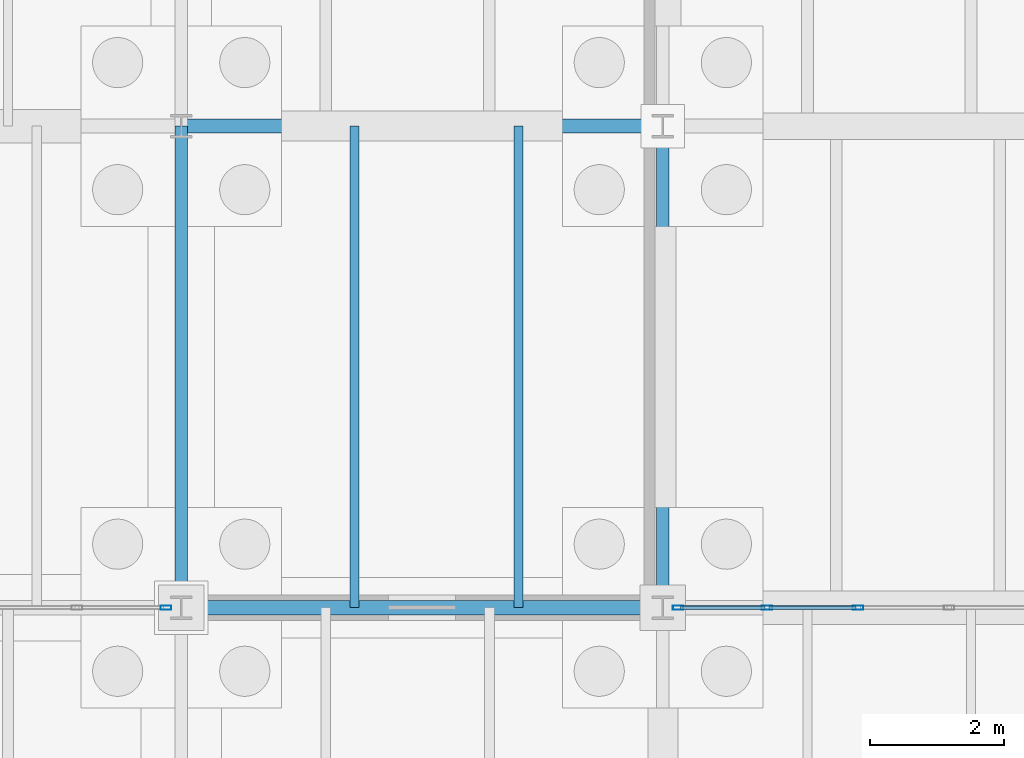
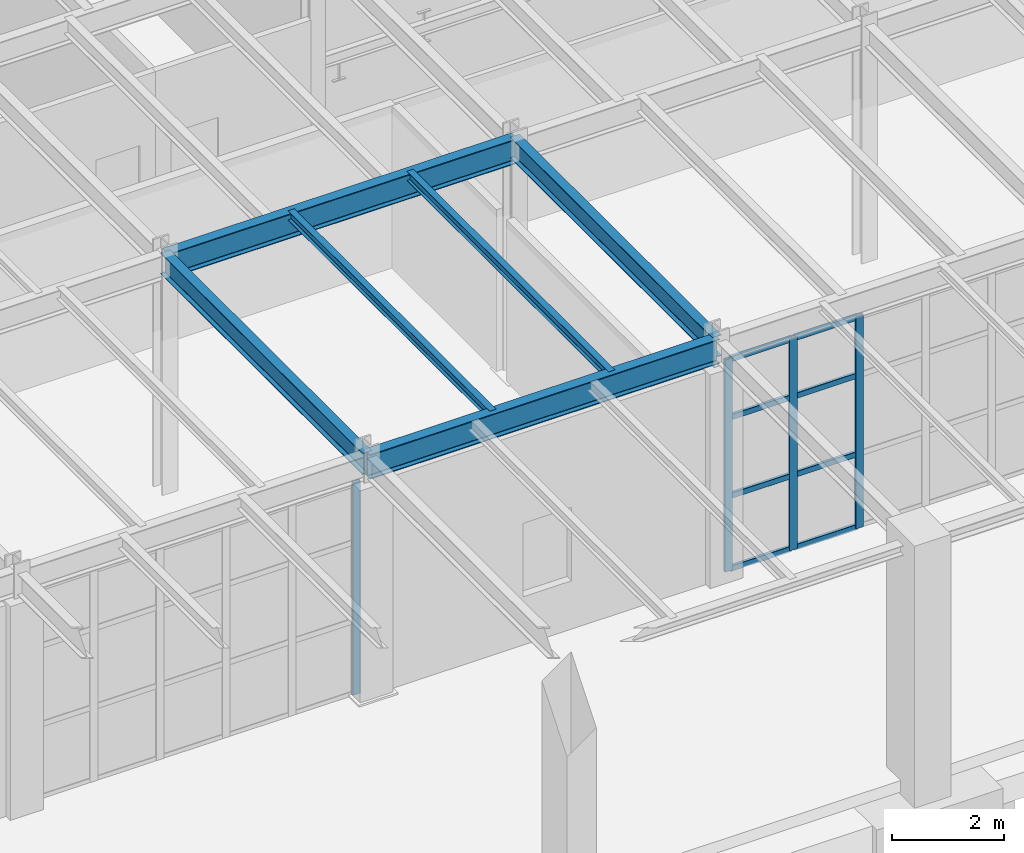
# One storey, part 75 of 293: 12 members, 6 beams, 2 elements without a shape of their own.
"""IFC4 building model written with IfcOpenShell, lengths in metres."""

from ifc_helpers import new_model, si_unit, direction, frame, origin, origin_2d, place, context, subcontext, project, spatial, hollow_rectangle, i_section, extrude, material, layer, layer_set, material_profile, profile_set, type_object, element, aggregate, save


model = new_model("IFC4")

# Units and contexts
model_context = context("Model", 3, precision=1e-05, world=origin(), true_north=direction((0.0, 1.0)))
body_context = subcontext(model_context, "Body", "Model", "MODEL_VIEW")
ifc_project = project(units=[si_unit("LENGTHUNIT", "METRE"), si_unit("AREAUNIT", "SQUARE_METRE"), si_unit("VOLUMEUNIT", "CUBIC_METRE"), si_unit("PLANEANGLEUNIT", "RADIAN"), si_unit("MASSUNIT", "GRAM", prefix="KILO")], contexts=[model_context])

# Site, building, storey
site_placement = place(None, origin())
site = spatial("IfcSite", under=ifc_project, at=site_placement, CompositionType="ELEMENT")
building_placement = place(site_placement, origin())
building = spatial("IfcBuilding", under=site, at=building_placement, Name="Kemerveld Promenade Tramway Depot", CompositionType="ELEMENT")
storey_placement = place(building_placement, origin())
storey = spatial("IfcBuildingStorey", under=building, at=storey_placement, Name="L00", CompositionType="ELEMENT", Elevation=0.0)

# Beams
ifc_material_1 = material(Name="Steel S355", Category="steel")
ifc_material_profile_1 = material_profile(ifc_material_1, i_section(OverallWidth=0.2099609375, OverallDepth=0.53662109375, WebThickness=0.0107421875, FlangeThickness=0.017333984375, FilletRadius=0.0126953125, at=origin_2d()), Name="533x210x101 UB")
ifc_profile_set_1 = profile_set([ifc_material_profile_1], Name="Steel S355")
beam_type_1 = type_object("IfcBeamType", Name="BM-G05", PredefinedType="BEAM", material=ifc_profile_set_1)
for number, where, z_axis, x_axis, name in (
    (1, (79.199951171875, 7.199951171875, 4.906494140625), (1.0, 0.0, 0.0), (0.0, 1.0, 0.0), "BMX-L00-12-13-B"),
    (2, (79.199951171875, 14.39990234375, 4.906494140625), (1.0, 0.0, 0.0), (0.0, 1.0, 0.0), "BMX-L00-12-13-C"),
):
    element("IfcBeam", number, at=place(storey_placement, frame(where, z_axis=z_axis, x_axis=x_axis)), inside=storey, type_object=beam_type_1, Name=name, PredefinedType="BEAM", context=body_context, shape_type="SweptSolid", body=[
        extrude(i_section(OverallWidth=0.2099609375, OverallDepth=0.53662109375, WebThickness=0.0107421875, FlangeThickness=0.017333984375, FilletRadius=0.0126953125, at=origin_2d()), origin(), (0.0, 0.0, 1.0), 7.199951171875),
    ])
ifc_material_profile_2 = material_profile(ifc_material_1, i_section(OverallWidth=0.19140625, OverallDepth=0.4599609375, WebThickness=0.010009765625, FlangeThickness=0.01611328125, FilletRadius=0.01025390625, at=origin_2d()), Name="457x191x82 UB")
ifc_profile_set_2 = profile_set([ifc_material_profile_2], Name="Steel S355")
beam_type_2 = type_object("IfcBeamType", Name="BM-G06", PredefinedType="BEAM", material=ifc_profile_set_2)
for number, where, z_axis, x_axis, name in (
    (3, (79.199951171875, 7.199951171875, 4.945068359375), (0.0, 1.0, 0.0), (-1.0, 0.0, 0.0), "BMY-L00-12-B-C"),
    (4, (86.39990234375, 7.199951171875, 4.945068359375), (0.0, 1.0, 0.0), (-1.0, 0.0, 0.0), "BMY-L00-13-B-C"),
):
    element("IfcBeam", number, at=place(storey_placement, frame(where, z_axis=z_axis, x_axis=x_axis)), inside=storey, type_object=beam_type_2, Name=name, PredefinedType="BEAM", context=body_context, shape_type="SweptSolid", body=[
        extrude(i_section(OverallWidth=0.19140625, OverallDepth=0.4599609375, WebThickness=0.010009765625, FlangeThickness=0.01611328125, FilletRadius=0.01025390625, at=origin_2d()), origin(), (0.0, 0.0, 1.0), 7.199951171875),
    ])
ifc_material_profile_3 = material_profile(ifc_material_1, i_section(OverallWidth=0.13330078125, OverallDepth=0.203125, WebThickness=0.005615234375, FlangeThickness=0.0078125, FilletRadius=0.007568359375, at=origin_2d()), Name="203x133x25 UB")
ifc_profile_set_3 = profile_set([ifc_material_profile_3], Name="Steel S355")
beam_type_3 = type_object("IfcBeamType", Name="BM-J03", PredefinedType="JOIST", material=ifc_profile_set_3)
for number, where, z_axis, x_axis, name in (
    (5, (81.7919921875, 7.199951171875, 5.073486328125), (0.0, 1.0, 0.0), (-1.0, 0.0, 0.0), "JST-L00-12-B-1"),
    (6, (84.239990234375, 7.199951171875, 5.073486328125), (0.0, 1.0, 0.0), (-1.0, 0.0, 0.0), "JST-L00-12-B-2"),
):
    element("IfcBeam", number, at=place(storey_placement, frame(where, z_axis=z_axis, x_axis=x_axis)), inside=storey, type_object=beam_type_3, Name=name, PredefinedType="JOIST", context=body_context, shape_type="SweptSolid", body=[
        extrude(i_section(OverallWidth=0.13330078125, OverallDepth=0.203125, WebThickness=0.005615234375, FlangeThickness=0.0078125, FilletRadius=0.007568359375, at=origin_2d()), origin(), (0.0, 0.0, 1.0), 7.199951171875),
    ])

# Curtain wall, members
ifc_material_2 = material(Name="Bronze anodised aluminium and solar glass", Category="aluminium")
ifc_layer_1 = layer(ifc_material_2, 0.159912109375)
ifc_layer_set_1 = layer_set([ifc_layer_1], Name="CW-SYS-13")
curtain_wall_type_1 = type_object("IfcCurtainWallType", Name="CW-SYS-13", PredefinedType="USERDEFINED", material=ifc_layer_set_1)
curtain_wall_1_placement = place(storey_placement, origin())
curtain_wall_1 = element("IfcCurtainWall", 7, at=curtain_wall_1_placement, inside=storey, type_object=curtain_wall_type_1, Name="CW-L00-V4S-10", ObjectType="GLAZED_CURTAIN_WALL", PredefinedType="USERDEFINED")
ifc_material_3 = material(Name="Bronze anodised aluminium", Category="aluminium")
ifc_material_profile_4 = material_profile(ifc_material_3, hollow_rectangle(XDim=0.06494140625, YDim=0.159912109375, WallThickness=0.00390625, InnerFilletRadius=0.001953125, OuterFilletRadius=0.00390625, at=origin_2d()), Name="CW-MUL-160x65")
ifc_profile_set_4 = profile_set([ifc_material_profile_4], Name="Bronze anodised aluminium")
member_type_1 = type_object("IfcMemberType", Name="CW-MUL-A", PredefinedType="MULLION", material=ifc_profile_set_4)
member_1_placement = place(storey_placement, frame((89.3193359375, 7.199951171875, 0.0), z_axis=(0.0, 0.0, 1.0), x_axis=(0.0, -1.0, 0.0)))
member_1 = element("IfcMember", 8, at=member_1_placement, type_object=member_type_1, Name="CW13 mullion 4", PredefinedType="MULLION", context=body_context, shape_type="SweptSolid", body=[
    extrude(hollow_rectangle(XDim=0.06494140625, YDim=0.159912109375, WallThickness=0.00390625, InnerFilletRadius=0.001953125, OuterFilletRadius=0.00390625, at=origin_2d()), origin(), (0.0, 0.0, 1.0), 4.618408203125),
])
member_2_placement = place(storey_placement, frame((87.957763671875, 7.199951171875, 0.0), z_axis=(0.0, 0.0, 1.0), x_axis=(0.0, -1.0, 0.0)))
member_2 = element("IfcMember", 9, at=member_2_placement, type_object=member_type_1, Name="CW13 mullion 5", PredefinedType="MULLION", context=body_context, shape_type="SweptSolid", body=[
    extrude(hollow_rectangle(XDim=0.06494140625, YDim=0.159912109375, WallThickness=0.00390625, InnerFilletRadius=0.001953125, OuterFilletRadius=0.00390625, at=origin_2d()), origin(), (0.0, 0.0, 1.0), 4.618408203125),
])
member_3_placement = place(storey_placement, frame((86.62890625, 7.199951171875, 0.0), z_axis=(0.0, 0.0, 1.0), x_axis=(0.0, -1.0, 0.0)))
member_3 = element("IfcMember", 10, at=member_3_placement, type_object=member_type_1, Name="CW13 mullion 6", PredefinedType="MULLION", context=body_context, shape_type="SweptSolid", body=[
    extrude(hollow_rectangle(XDim=0.06494140625, YDim=0.159912109375, WallThickness=0.00390625, InnerFilletRadius=0.001953125, OuterFilletRadius=0.00390625, at=origin_2d()), origin(), (0.0, 0.0, 1.0), 4.618408203125),
])

# Curtain wall, member
ifc_layer_2 = layer(ifc_material_2, 0.159912109375)
ifc_layer_set_2 = layer_set([ifc_layer_2], Name="CW-SYS-01")
curtain_wall_type_2 = type_object("IfcCurtainWallType", Name="CW-SYS-01", PredefinedType="USERDEFINED", material=ifc_layer_set_2)
curtain_wall_2_placement = place(storey_placement, origin())
curtain_wall_2 = element("IfcCurtainWall", 11, at=curtain_wall_2_placement, inside=storey, type_object=curtain_wall_type_2, Name="CW-L00-V4S-12", ObjectType="GLAZED_CURTAIN_WALL", PredefinedType="USERDEFINED")
member_4_placement = place(storey_placement, frame((78.97119140625, 7.199951171875, 0.0), z_axis=(0.0, 0.0, 1.0), x_axis=(0.0, -1.0, 0.0)))
member_4 = element("IfcMember", 12, at=member_4_placement, type_object=member_type_1, Name="CW01 mullion 1", PredefinedType="MULLION", context=body_context, shape_type="SweptSolid", body=[
    extrude(hollow_rectangle(XDim=0.06494140625, YDim=0.159912109375, WallThickness=0.00390625, InnerFilletRadius=0.001953125, OuterFilletRadius=0.00390625, at=origin_2d()), origin(), (0.0, 0.0, 1.0), 4.618408203125),
])
aggregate(curtain_wall_2, [member_4])

# Member
ifc_material_profile_5 = material_profile(ifc_material_3, hollow_rectangle(XDim=0.06005859375, YDim=0.1201171875, WallThickness=0.00390625, InnerFilletRadius=0.001953125, OuterFilletRadius=0.00390625, at=origin_2d()), Name="CW-TRN-120x60")
ifc_profile_set_5 = profile_set([ifc_material_profile_5], Name="Bronze anodised aluminium")
member_type_2 = type_object("IfcMemberType", Name="CW-TRN-A", PredefinedType="USERDEFINED", material=ifc_profile_set_5)
member_5_placement = place(storey_placement, frame((89.286865234375, 7.199951171875, 0.030029296875), z_axis=(-1.0, 0.0, 0.0), x_axis=(0.0, -1.0, 0.0)))
member_5 = element("IfcMember", 13, at=member_5_placement, type_object=member_type_2, Name="CW13 transom 4.1", ObjectType="TRANSOM", PredefinedType="USERDEFINED", context=body_context, shape_type="SweptSolid", body=[
    extrude(hollow_rectangle(XDim=0.06005859375, YDim=0.1201171875, WallThickness=0.00390625, InnerFilletRadius=0.001953125, OuterFilletRadius=0.00390625, at=origin_2d()), origin(), (0.0, 0.0, 1.0), 1.296630859375),
])

member_6_placement = place(storey_placement, frame((89.286865234375, 7.199951171875, 1.615966796875), z_axis=(-1.0, 0.0, 0.0), x_axis=(0.0, -1.0, 0.0)))
member_6 = element("IfcMember", 14, at=member_6_placement, type_object=member_type_2, Name="CW13 transom 4.2", ObjectType="TRANSOM", PredefinedType="USERDEFINED", context=body_context, shape_type="SweptSolid", body=[
    extrude(hollow_rectangle(XDim=0.06005859375, YDim=0.1201171875, WallThickness=0.00390625, InnerFilletRadius=0.001953125, OuterFilletRadius=0.00390625, at=origin_2d()), origin(), (0.0, 0.0, 1.0), 1.296630859375),
])

member_7_placement = place(storey_placement, frame((89.286865234375, 7.199951171875, 3.324951171875), z_axis=(-1.0, 0.0, 0.0), x_axis=(0.0, -1.0, 0.0)))
member_7 = element("IfcMember", 15, at=member_7_placement, type_object=member_type_2, Name="CW13 transom 4.3", ObjectType="TRANSOM", PredefinedType="USERDEFINED", context=body_context, shape_type="SweptSolid", body=[
    extrude(hollow_rectangle(XDim=0.06005859375, YDim=0.1201171875, WallThickness=0.00390625, InnerFilletRadius=0.001953125, OuterFilletRadius=0.00390625, at=origin_2d()), origin(), (0.0, 0.0, 1.0), 1.296630859375),
])

member_8_placement = place(storey_placement, frame((89.286865234375, 7.199951171875, 4.58837890625), z_axis=(-1.0, 0.0, 0.0), x_axis=(0.0, -1.0, 0.0)))
member_8 = element("IfcMember", 16, at=member_8_placement, type_object=member_type_2, Name="CW13 transom 4.4", ObjectType="TRANSOM", PredefinedType="USERDEFINED", context=body_context, shape_type="SweptSolid", body=[
    extrude(hollow_rectangle(XDim=0.06005859375, YDim=0.1201171875, WallThickness=0.00390625, InnerFilletRadius=0.001953125, OuterFilletRadius=0.00390625, at=origin_2d()), origin(), (0.0, 0.0, 1.0), 1.296630859375),
])

member_9_placement = place(storey_placement, frame((87.92529296875, 7.199951171875, 0.030029296875), z_axis=(-1.0, 0.0, 0.0), x_axis=(0.0, -1.0, 0.0)))
member_9 = element("IfcMember", 17, at=member_9_placement, type_object=member_type_2, Name="CW13 transom 5.1", ObjectType="TRANSOM", PredefinedType="USERDEFINED", context=body_context, shape_type="SweptSolid", body=[
    extrude(hollow_rectangle(XDim=0.06005859375, YDim=0.1201171875, WallThickness=0.00390625, InnerFilletRadius=0.001953125, OuterFilletRadius=0.00390625, at=origin_2d()), origin(), (0.0, 0.0, 1.0), 1.263916015625),
])

member_10_placement = place(storey_placement, frame((87.92529296875, 7.199951171875, 1.615966796875), z_axis=(-1.0, 0.0, 0.0), x_axis=(0.0, -1.0, 0.0)))
member_10 = element("IfcMember", 18, at=member_10_placement, type_object=member_type_2, Name="CW13 transom 5.2", ObjectType="TRANSOM", PredefinedType="USERDEFINED", context=body_context, shape_type="SweptSolid", body=[
    extrude(hollow_rectangle(XDim=0.06005859375, YDim=0.1201171875, WallThickness=0.00390625, InnerFilletRadius=0.001953125, OuterFilletRadius=0.00390625, at=origin_2d()), origin(), (0.0, 0.0, 1.0), 1.263916015625),
])

member_11_placement = place(storey_placement, frame((87.92529296875, 7.199951171875, 3.324951171875), z_axis=(-1.0, 0.0, 0.0), x_axis=(0.0, -1.0, 0.0)))
member_11 = element("IfcMember", 19, at=member_11_placement, type_object=member_type_2, Name="CW13 transom 5.3", ObjectType="TRANSOM", PredefinedType="USERDEFINED", context=body_context, shape_type="SweptSolid", body=[
    extrude(hollow_rectangle(XDim=0.06005859375, YDim=0.1201171875, WallThickness=0.00390625, InnerFilletRadius=0.001953125, OuterFilletRadius=0.00390625, at=origin_2d()), origin(), (0.0, 0.0, 1.0), 1.263916015625),
])

member_12_placement = place(storey_placement, frame((87.92529296875, 7.199951171875, 4.58837890625), z_axis=(-1.0, 0.0, 0.0), x_axis=(0.0, -1.0, 0.0)))
member_12 = element("IfcMember", 20, at=member_12_placement, type_object=member_type_2, Name="CW13 transom 5.4", ObjectType="TRANSOM", PredefinedType="USERDEFINED", context=body_context, shape_type="SweptSolid", body=[
    extrude(hollow_rectangle(XDim=0.06005859375, YDim=0.1201171875, WallThickness=0.00390625, InnerFilletRadius=0.001953125, OuterFilletRadius=0.00390625, at=origin_2d()), origin(), (0.0, 0.0, 1.0), 1.263916015625),
])

aggregate(curtain_wall_1, [member_1, member_2, member_3, member_5, member_6, member_7, member_8, member_9, member_10, member_11, member_12])

save(model, "model.ifc")
